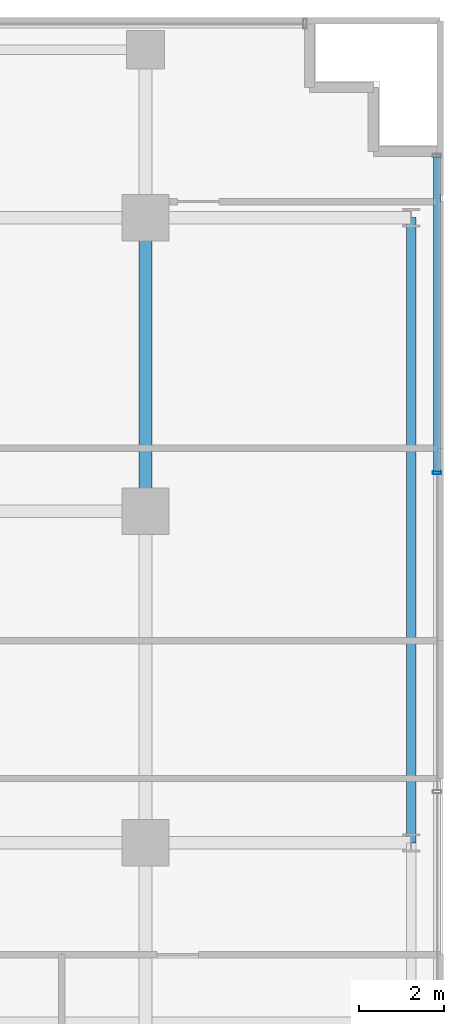
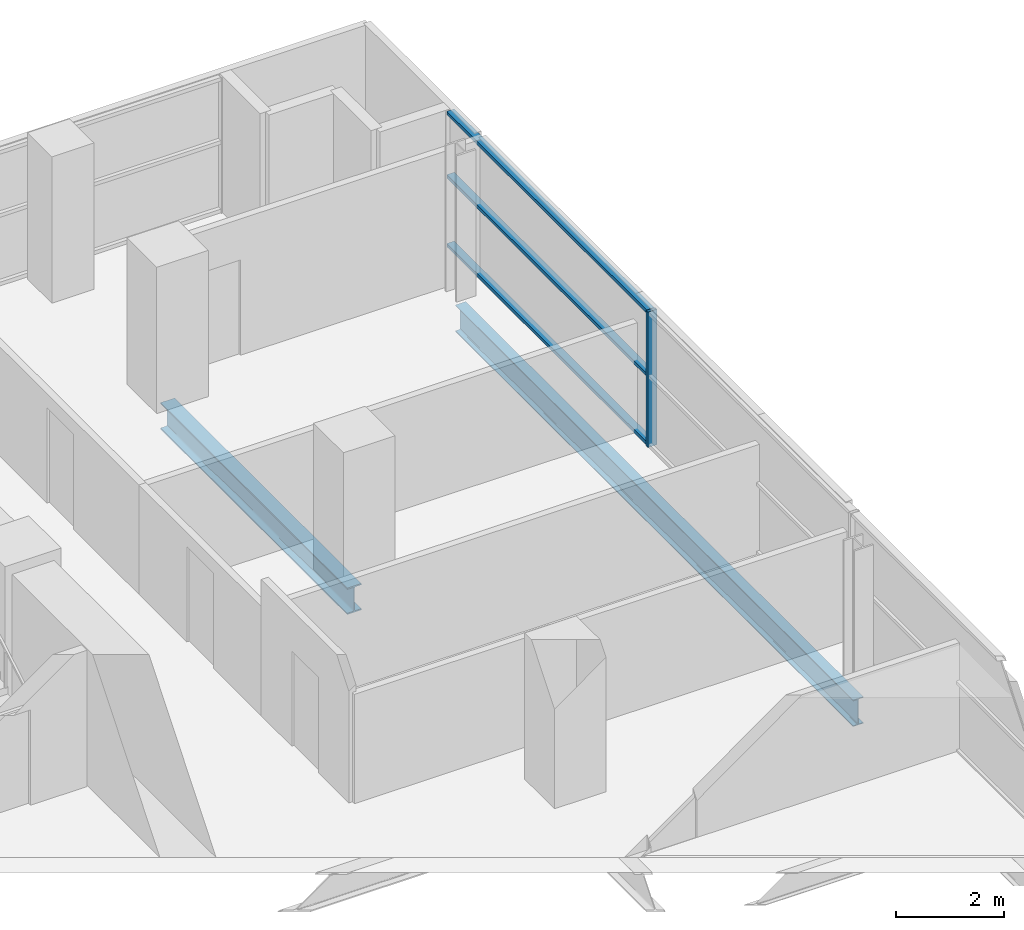
# One storey, part 16 of 31: 4 members, 2 beams, 1 element without a shape of its own.
"""IFC4 building model written with IfcOpenShell, lengths in metres."""

from ifc_helpers import new_model, si_unit, direction, frame, origin, origin_2d, place, context, subcontext, project, spatial, hollow_rectangle, i_section, extrude, source, transform, mapped, material, layer, layer_set, material_profile, profile_set, type_object, element, aggregate, save


model = new_model("IFC4")

# Units and contexts
model_context = context("Model", 3, precision=1e-05, world=origin(), true_north=direction((0.0, 1.0)))
body_context = subcontext(model_context, "Body", "Model", "MODEL_VIEW")
ifc_project = project(units=[si_unit("LENGTHUNIT", "METRE"), si_unit("AREAUNIT", "SQUARE_METRE"), si_unit("VOLUMEUNIT", "CUBIC_METRE"), si_unit("PLANEANGLEUNIT", "RADIAN"), si_unit("MASSUNIT", "GRAM", prefix="KILO")], contexts=[model_context])

# Site, building, storey
site_placement = place(None, origin())
site = spatial("IfcSite", under=ifc_project, at=site_placement, CompositionType="ELEMENT")
building_placement = place(site_placement, origin())
building = spatial("IfcBuilding", under=site, at=building_placement, Name="Zarnakvel Exchange Tower", CompositionType="ELEMENT")
storey_placement = place(building_placement, frame((0.0, 0.0, 47.199951171875)))
storey = spatial("IfcBuildingStorey", under=building, at=storey_placement, Name="L12", CompositionType="ELEMENT", Elevation=47.199951171875)

# Beams
ifc_material_1 = material(Name="Steel S355", Category="steel")
ifc_material_profile_1 = material_profile(ifc_material_1, i_section(OverallWidth=0.300048828125, OverallDepth=0.60009765625, WebThickness=0.015380859375, FlangeThickness=0.030029296875, FilletRadius=0.027099609375, at=origin_2d()))
ifc_profile_set_1 = profile_set([ifc_material_profile_1], Name="Steel S355")
beam_type_1 = type_object("IfcBeamType", Name="G-04", PredefinedType="BEAM", material=ifc_profile_set_1)
beam_1_placement = place(storey_placement, frame((21.60009765625, 6.60009765625, -0.52490234375), z_axis=(0.0, 1.0, 0.0), x_axis=(-1.0, 0.0, 0.0)))
element("IfcBeam", 1, at=beam_1_placement, inside=storey, type_object=beam_type_1, Name="L12 Tower N-S Frame Beam", PredefinedType="BEAM", context=body_context, shape_type="SweptSolid", body=[
    extrude(i_section(OverallWidth=0.300048828125, OverallDepth=0.60009765625, WebThickness=0.015380859375, FlangeThickness=0.030029296875, FilletRadius=0.027099609375, at=origin_2d()), origin(), (0.0, 0.0, 1.0), 6.89990234375),
])
ifc_material_profile_2 = material_profile(ifc_material_1, i_section(OverallWidth=0.219970703125, OverallDepth=0.60009765625, WebThickness=0.011962890625, FlangeThickness=0.01904296875, FilletRadius=0.02392578125, at=origin_2d()))
ifc_profile_set_2 = profile_set([ifc_material_profile_2], Name="Steel S355")
beam_type_2 = type_object("IfcBeamType", Name="SP-01", PredefinedType="SPANDREL", material=ifc_profile_set_2)
beam_2_placement = place(storey_placement, frame((27.85009765625, -1.199951171875, -0.52490234375), z_axis=(0.0, 1.0, 0.0), x_axis=(-1.0, 0.0, 0.0)))
element("IfcBeam", 2, at=beam_2_placement, inside=storey, type_object=beam_type_2, Name="L12 Tower N-S Frame Beam", PredefinedType="SPANDREL", context=body_context, shape_type="SweptSolid", body=[
    extrude(i_section(OverallWidth=0.219970703125, OverallDepth=0.60009765625, WebThickness=0.011962890625, FlangeThickness=0.01904296875, FilletRadius=0.02392578125, at=origin_2d()), origin(), (0.0, 0.0, 1.0), 14.699951171875),
])

# Curtain wall, members
ifc_material_2 = material(Name="Architectural Bronze Anodised Aluminium", Category="aluminium")
ifc_layer = layer(ifc_material_2, 0.199951171875)
ifc_layer_set = layer_set([ifc_layer], Name="Architectural Bronze Anodised Aluminium")
curtain_wall_type = type_object("IfcCurtainWallType", Name="CW-04", PredefinedType="NOTDEFINED", material=ifc_layer_set)
curtain_wall_placement = place(storey_placement, origin())
curtain_wall = element("IfcCurtainWall", 3, at=curtain_wall_placement, inside=storey, type_object=curtain_wall_type, Name="L12 Curtain Wall CW-L12-E1 (CW-04)", PredefinedType="NOTDEFINED")
ifc_material_profile_3 = material_profile(ifc_material_2, hollow_rectangle(XDim=0.159912109375, YDim=0.074951171875, WallThickness=0.00390625, at=origin_2d()))
ifc_profile_set_3 = profile_set([ifc_material_profile_3], Name="Architectural Bronze Anodised Aluminium")
member_type_1 = type_object("IfcMemberType", Name="CWT-04", PredefinedType="USERDEFINED", material=ifc_profile_set_3)
shared_shape_1 = source(origin(), body_context, "Body", "SweptSolid", [
    extrude(hollow_rectangle(XDim=0.159912109375, YDim=0.074951171875, WallThickness=0.00390625, at=origin_2d()), origin(), (0.0, 0.0, 1.0), 7.387451171875),
])
member_1_placement = place(storey_placement, frame((28.4599609375, 7.53759765625, 0.03759765625), z_axis=(0.0, 1.0, 0.0), x_axis=(-1.0, 0.0, 0.0)))
member_1 = element("IfcMember", 4, at=member_1_placement, type_object=member_type_1, Name="CW-04 transom 4.1", ObjectType="TRANSOM", PredefinedType="USERDEFINED", context=body_context, shape_type="MappedRepresentation", body=[
    mapped(shared_shape_1, transform((0.0, 0.0, 0.0), x_axis=(1.0, 0.0, 0.0), y_axis=(0.0, 1.0, 0.0), z_axis=(0.0, 0.0, 1.0), scale=1.0)),
])
member_2_placement = place(storey_placement, frame((28.4599609375, 7.53759765625, 1.588623046875), z_axis=(0.0, 1.0, 0.0), x_axis=(-1.0, 0.0, 0.0)))
member_2 = element("IfcMember", 5, at=member_2_placement, type_object=member_type_1, Name="CW-04 transom 4.2", ObjectType="TRANSOM", PredefinedType="USERDEFINED", context=body_context, shape_type="MappedRepresentation", body=[
    mapped(shared_shape_1, transform((0.0, 0.0, 0.0), x_axis=(1.0, 0.0, 0.0), y_axis=(0.0, 1.0, 0.0), z_axis=(0.0, 0.0, 1.0), scale=1.0)),
])
member_3_placement = place(storey_placement, frame((28.4599609375, 7.53759765625, 3.017578125), z_axis=(0.0, 1.0, 0.0), x_axis=(-1.0, 0.0, 0.0)))
member_3 = element("IfcMember", 6, at=member_3_placement, type_object=member_type_1, Name="CW-04 transom 4.3", ObjectType="TRANSOM", PredefinedType="USERDEFINED", context=body_context, shape_type="MappedRepresentation", body=[
    mapped(shared_shape_1, transform((0.0, 0.0, 0.0), x_axis=(1.0, 0.0, 0.0), y_axis=(0.0, 1.0, 0.0), z_axis=(0.0, 0.0, 1.0), scale=1.0)),
])
ifc_material_profile_4 = material_profile(ifc_material_2, hollow_rectangle(XDim=0.199951171875, YDim=0.074951171875, WallThickness=0.0048828125, at=origin_2d()))
ifc_profile_set_4 = profile_set([ifc_material_profile_4], Name="Architectural Bronze Anodised Aluminium")
member_type_2 = type_object("IfcMemberType", Name="CWM-04", PredefinedType="MULLION", material=ifc_profile_set_4)
shared_shape_2 = source(origin(), body_context, "Body", "SweptSolid", [
    extrude(hollow_rectangle(XDim=0.199951171875, YDim=0.074951171875, WallThickness=0.0048828125, at=origin_2d()), origin(), (0.0, 0.0, 1.0), 3.054931640625),
])
member_4_placement = place(storey_placement, frame((28.4599609375, 7.5, 0.0), z_axis=(0.0, 0.0, 1.0), x_axis=(-1.0, 0.0, 0.0)))
member_4 = element("IfcMember", 7, at=member_4_placement, type_object=member_type_2, Name="CW-04 mullion 4", PredefinedType="MULLION", context=body_context, shape_type="MappedRepresentation", body=[
    mapped(shared_shape_2, transform((0.0, 0.0, 0.0), x_axis=(1.0, 0.0, 0.0), y_axis=(0.0, 1.0, 0.0), z_axis=(0.0, 0.0, 1.0), scale=1.0)),
])
aggregate(curtain_wall, [member_4, member_1, member_2, member_3])

save(model, "model.ifc")
